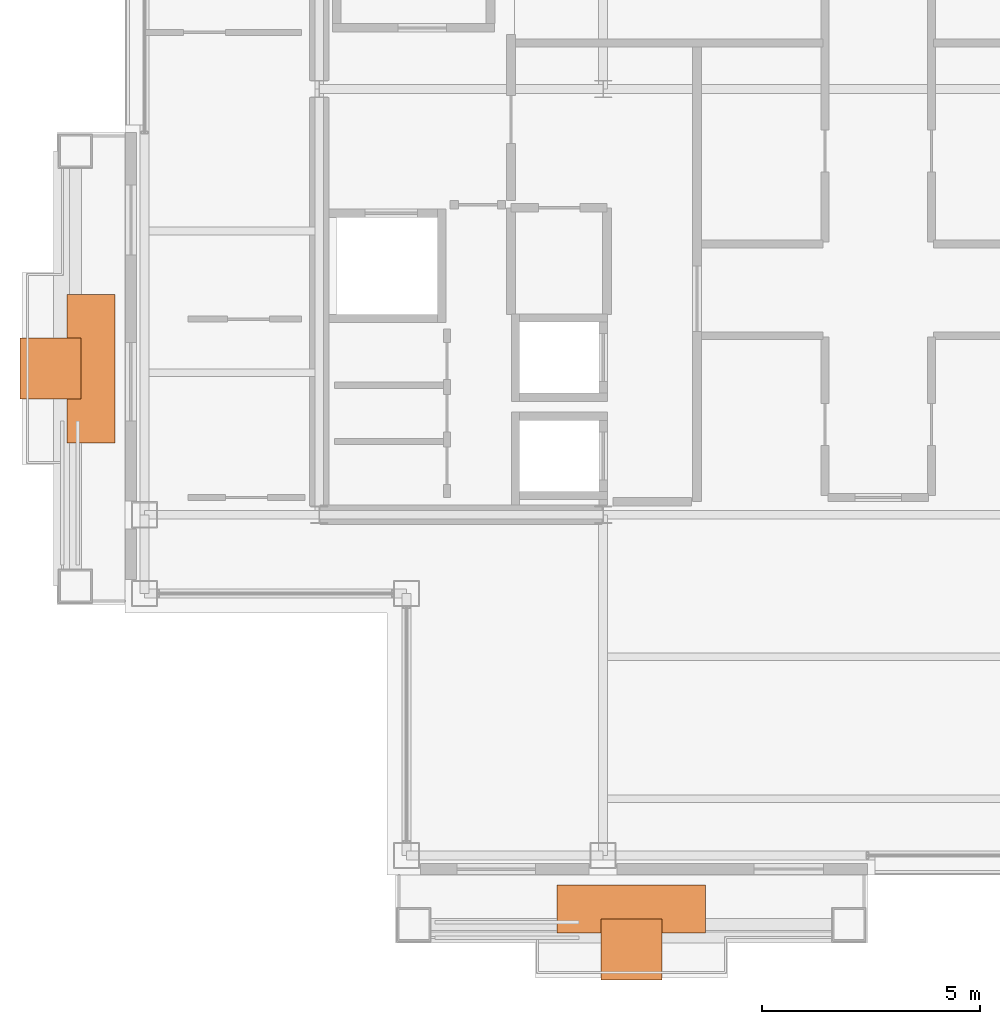
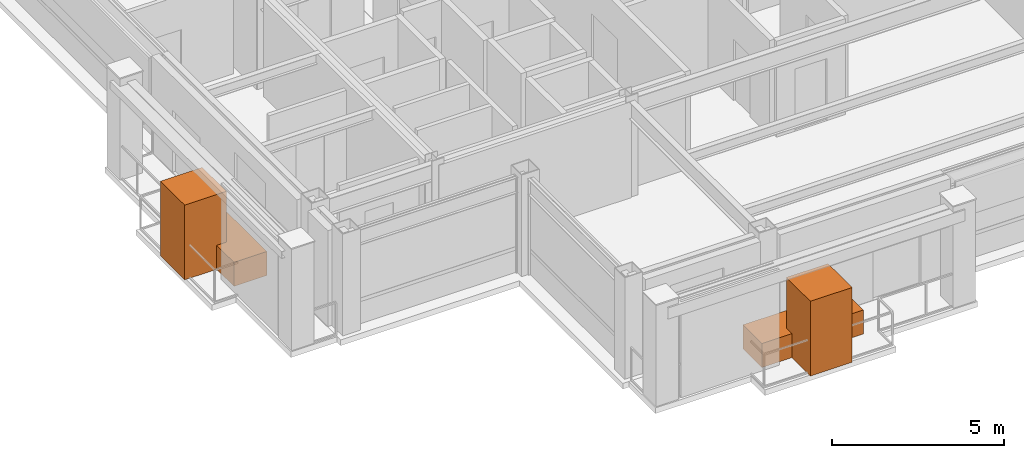
# One storey, part 28 of 28: 4 proxies.
"""IFC4 building model written with IfcOpenShell, lengths in metres."""

from ifc_helpers import new_model, si_unit, direction, frame, origin, origin_2d, place, context, subcontext, project, spatial, rectangle, extrude, material, type_object, element, save


model = new_model("IFC4")

# Units and contexts
model_context = context("Model", 3, precision=1e-05, world=origin(), true_north=direction((0.0, 1.0)))
body_context = subcontext(model_context, "Body", "Model", "MODEL_VIEW")
ifc_project = project(units=[si_unit("LENGTHUNIT", "METRE"), si_unit("AREAUNIT", "SQUARE_METRE"), si_unit("VOLUMEUNIT", "CUBIC_METRE"), si_unit("PLANEANGLEUNIT", "RADIAN"), si_unit("MASSUNIT", "GRAM", prefix="KILO")], contexts=[model_context])

# Site, building, storey
site_placement = place(None, origin())
site = spatial("IfcSite", under=ifc_project, at=site_placement, CompositionType="ELEMENT")
building_placement = place(site_placement, origin())
building = spatial("IfcBuilding", under=site, at=building_placement, Name="Brelmoor Portico Tower", CompositionType="ELEMENT")
storey_placement = place(building_placement, frame((0.0, 0.0, 265.199951171875)))
storey = spatial("IfcBuildingStorey", under=building, at=storey_placement, Name="L70", CompositionType="ELEMENT", Elevation=265.199951171875)

# Proxies
ifc_material_1 = material(Name="Planted Canopy Tree and Soil Rootball", Category="other")
building_element_proxy_type_1 = type_object("IfcBuildingElementProxyType", Name="BALCONY TREE ARBOR", PredefinedType="USERDEFINED", material=ifc_material_1)
for number, where, z_axis, x_axis, name in (
    (1, (-7.39990234375, -19.699951171875, 0.0), (0.0, 0.0, 1.0), (1.0, 0.0, 0.0), "L70 Balcony PLANTER Tree Canopy Arbor S"),
    (2, (-20.699951171875, -6.39990234375, 0.0), (0.0, 0.0, 1.0), (1.0, 0.0, 0.0), "L70 Balcony PLANTER Tree Canopy Arbor W"),
):
    element("IfcBuildingElementProxy", number, at=place(storey_placement, frame(where, z_axis=z_axis, x_axis=x_axis)), inside=storey, type_object=building_element_proxy_type_1, Name=name, ObjectType="PLANTER", PredefinedType="USERDEFINED", context=body_context, shape_type="SweptSolid", body=[
        extrude(rectangle(XDim=1.39990234375, YDim=1.39990234375, at=origin_2d()), origin(), (0.0, 0.0, 1.0), 2.64990234375),
    ])
ifc_material_2 = material(Name="Architectural Precast Concrete C40", Category="concrete")
building_element_proxy_type_2 = type_object("IfcBuildingElementProxyType", Name="TREE PLANTER", PredefinedType="USERDEFINED", material=ifc_material_2)
for number, where, z_axis, x_axis, name in (
    (3, (-7.39990234375, -18.77490234375, 0.0), (0.0, 0.0, 1.0), (1.0, 0.0, 0.0), "L70 Planted Tree Planter S"),
    (4, (-19.77490234375, -6.39990234375, 0.0), (0.0, 0.0, 1.0), (0.0, 1.0, 0.0), "L70 Planted Tree Planter W"),
):
    element("IfcBuildingElementProxy", number, at=place(storey_placement, frame(where, z_axis=z_axis, x_axis=x_axis)), inside=storey, type_object=building_element_proxy_type_2, Name=name, ObjectType="PLANTER", PredefinedType="USERDEFINED", context=body_context, shape_type="SweptSolid", body=[
        extrude(rectangle(XDim=3.39990234375, YDim=1.10009765625, at=origin_2d()), origin(), (0.0, 0.0, 1.0), 0.85009765625),
    ])

save(model, "model.ifc")
